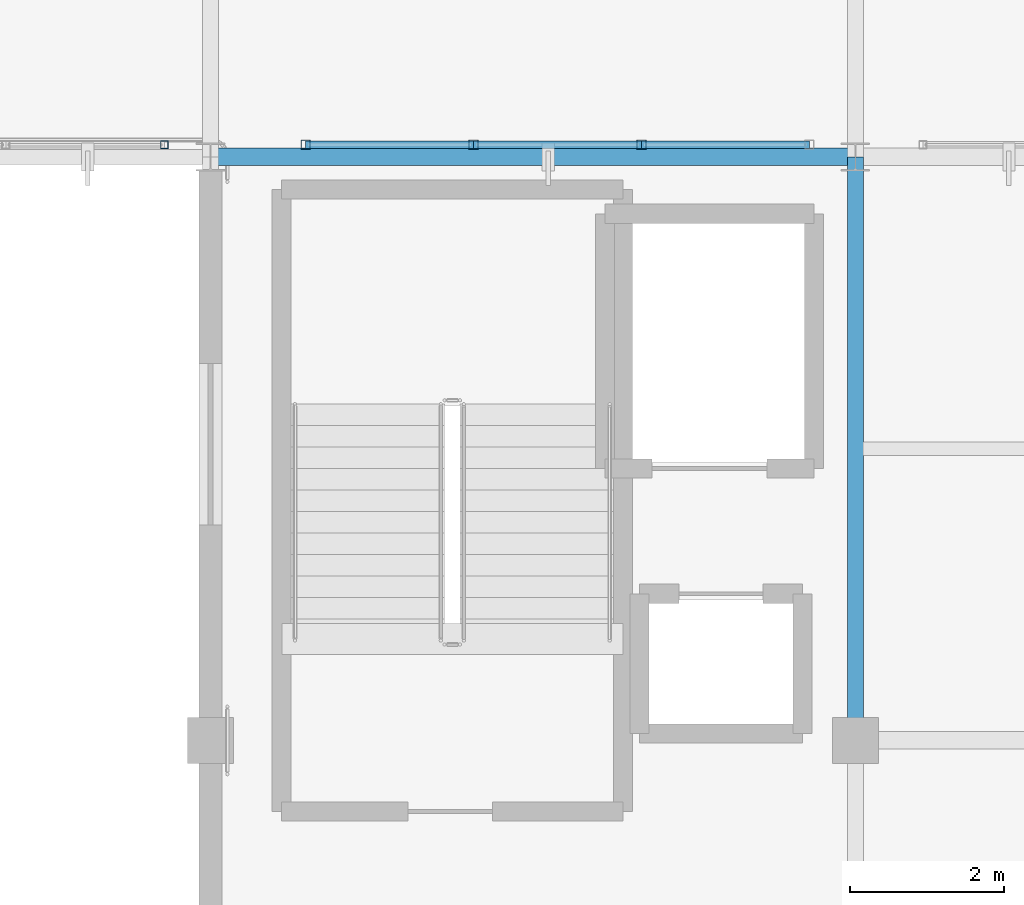
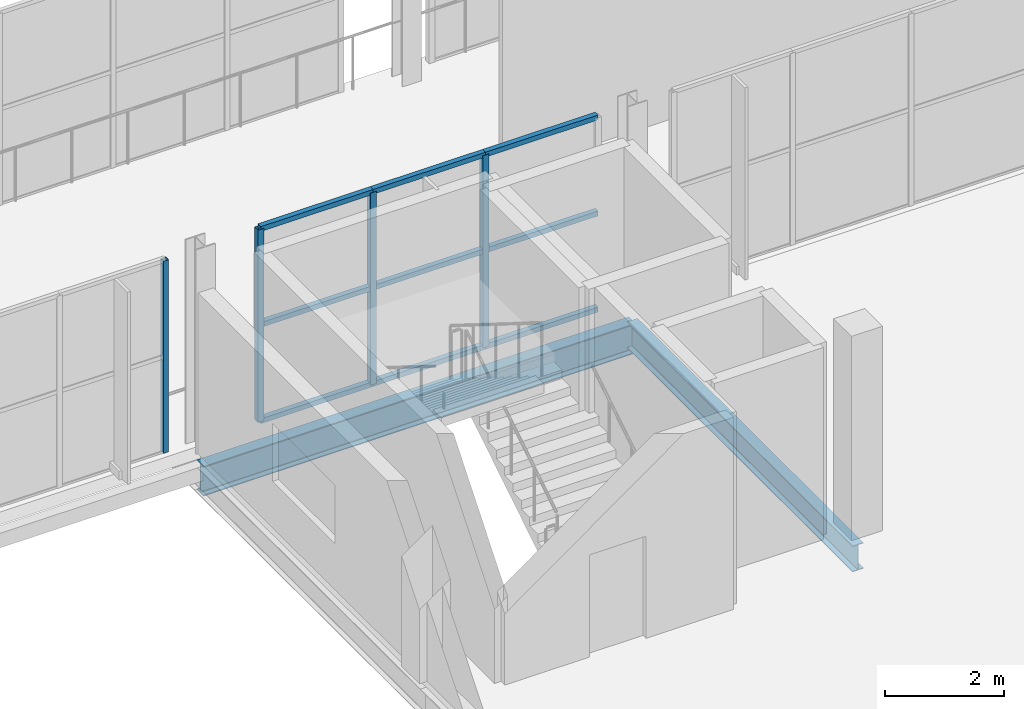
# One storey, part 28 of 217: 13 members, 2 beams, 2 elements without a shape of their own.
"""IFC4 building model written with IfcOpenShell, lengths in metres."""

from ifc_helpers import new_model, si_unit, direction, frame, origin, origin_2d, place, context, subcontext, project, spatial, hollow_rectangle, i_section, extrude, material, material_profile, profile_set, type_object, element, aggregate, save


model = new_model("IFC4")

# Units and contexts
model_context = context("Model", 3, precision=1e-05, world=origin(), true_north=direction((0.0, 1.0)))
body_context = subcontext(model_context, "Body", "Model", "MODEL_VIEW")
ifc_project = project(units=[si_unit("LENGTHUNIT", "METRE"), si_unit("AREAUNIT", "SQUARE_METRE"), si_unit("VOLUMEUNIT", "CUBIC_METRE"), si_unit("PLANEANGLEUNIT", "RADIAN"), si_unit("MASSUNIT", "GRAM", prefix="KILO")], contexts=[model_context])

# Site, building, storey
site_placement = place(None, origin())
site = spatial("IfcSite", under=ifc_project, at=site_placement, CompositionType="ELEMENT")
building_placement = place(site_placement, origin())
building = spatial("IfcBuilding", under=site, at=building_placement, Name="Zuvorla Pavilion Media Centre", CompositionType="ELEMENT")
storey_placement = place(building_placement, frame((0.0, 0.0, 9.60009765625)))
storey = spatial("IfcBuildingStorey", under=building, at=storey_placement, Name="L02", CompositionType="ELEMENT", Elevation=9.60009765625)

# Beams
ifc_material_1 = material(Name="Steel S355", Category="steel")
ifc_material_profile_1 = material_profile(ifc_material_1, i_section(OverallWidth=0.2099609375, OverallDepth=0.53662109375, WebThickness=0.0107421875, FlangeThickness=0.017333984375, FilletRadius=0.0126953125, at=origin_2d()), Name="UB 533x210x101")
ifc_profile_set_1 = profile_set([ifc_material_profile_1], Name="Steel S355")
beam_type_1 = type_object("IfcBeamType", Name="BM-UB533", PredefinedType="BEAM", material=ifc_profile_set_1)
beam_1_placement = place(storey_placement, frame((50.0, 36.39990234375, -0.62646484375), z_axis=(0.0, 1.0, 0.0), x_axis=(-1.0, 0.0, 0.0)))
element("IfcBeam", 1, at=beam_1_placement, inside=storey, type_object=beam_type_1, Name="L02 beam B08 913", PredefinedType="BEAM", context=body_context, shape_type="SweptSolid", body=[
    extrude(i_section(OverallWidth=0.2099609375, OverallDepth=0.53662109375, WebThickness=0.0107421875, FlangeThickness=0.017333984375, FilletRadius=0.0126953125, at=origin_2d()), origin(), (0.0, 0.0, 1.0), 7.60009765625),
])
ifc_material_profile_2 = material_profile(ifc_material_1, i_section(OverallWidth=0.22900390625, OverallDepth=0.6123046875, WebThickness=0.011962890625, FlangeThickness=0.01953125, FilletRadius=0.0126953125, at=origin_2d()), Name="UB 610x229x125")
ifc_profile_set_2 = profile_set([ifc_material_profile_2], Name="Steel S355")
beam_type_2 = type_object("IfcBeamType", Name="BM-UB610", PredefinedType="BEAM", material=ifc_profile_set_2)
beam_2_placement = place(storey_placement, frame((41.60009765625, 44.0, -0.664306640625), z_axis=(1.0, 0.0, 0.0), x_axis=(0.0, 1.0, 0.0)))
element("IfcBeam", 2, at=beam_2_placement, inside=storey, type_object=beam_type_2, Name="L02 beam B07 821", PredefinedType="BEAM", context=body_context, shape_type="SweptSolid", body=[
    extrude(i_section(OverallWidth=0.22900390625, OverallDepth=0.6123046875, WebThickness=0.011962890625, FlangeThickness=0.01953125, FilletRadius=0.0126953125, at=origin_2d()), origin(), (0.0, 0.0, 1.0), 8.39990234375),
])

# Curtain wall, member
ifc_material_2 = material(Name="Unitised anodised aluminium and solar glass curtain wall", Category="aluminium")
curtain_wall_type_1 = type_object("IfcCurtainWallType", Name="CW-SYS-20", PredefinedType="USERDEFINED", material=ifc_material_2)
curtain_wall_1_placement = place(storey_placement, origin())
curtain_wall_1 = element("IfcCurtainWall", 3, at=curtain_wall_1_placement, inside=storey, type_object=curtain_wall_type_1, Name="L02 curtain wall CW20 39", ObjectType="CURTAIN WALL", PredefinedType="USERDEFINED")
ifc_material_3 = material(Name="Anodised aluminium 6063-T6", Category="aluminium")
ifc_material_profile_3 = material_profile(ifc_material_3, hollow_rectangle(XDim=0.10009765625, YDim=0.10009765625, WallThickness=0.00439453125, at=origin_2d()), Name="ALU MULL 100x100")
ifc_profile_set_3 = profile_set([ifc_material_profile_3], Name="Anodised aluminium 6063-T6")
member_type_1 = type_object("IfcMemberType", Name="CW-MULL-100", PredefinedType="MULLION", material=ifc_profile_set_3)
member_1_placement = place(storey_placement, frame((40.999755859375, 44.159912109375, 0.0), z_axis=(0.0, 0.0, 1.0), x_axis=(1.0, 0.0, 0.0)))
member_1 = element("IfcMember", 4, at=member_1_placement, type_object=member_type_1, Name="CW20 mullion 4", PredefinedType="MULLION", context=body_context, shape_type="SweptSolid", body=[
    extrude(hollow_rectangle(XDim=0.10009765625, YDim=0.10009765625, WallThickness=0.00439453125, at=origin_2d()), origin(), (0.0, 0.0, 1.0), 3.949951171875),
])
aggregate(curtain_wall_1, [member_1])

# Curtain wall, members
curtain_wall_type_2 = type_object("IfcCurtainWallType", Name="CW-SYS-21", PredefinedType="USERDEFINED", material=ifc_material_2)
curtain_wall_2_placement = place(storey_placement, origin())
curtain_wall_2 = element("IfcCurtainWall", 5, at=curtain_wall_2_placement, inside=storey, type_object=curtain_wall_type_2, Name="L02 curtain wall CW21 40", ObjectType="CURTAIN WALL", PredefinedType="USERDEFINED")
ifc_material_profile_4 = material_profile(ifc_material_3, hollow_rectangle(XDim=0.1201171875, YDim=0.1201171875, WallThickness=0.0048828125, at=origin_2d()), Name="ALU MULL 120x120")
ifc_profile_set_4 = profile_set([ifc_material_profile_4], Name="Anodised aluminium 6063-T6")
member_type_2 = type_object("IfcMemberType", Name="CW-MULL-120", PredefinedType="MULLION", material=ifc_profile_set_4)
member_2_placement = place(storey_placement, frame((42.840087890625, 44.159912109375, 0.0), z_axis=(0.0, 0.0, 1.0), x_axis=(1.0, 0.0, 0.0)))
member_2 = element("IfcMember", 6, at=member_2_placement, type_object=member_type_2, Name="CW21 mullion 1", PredefinedType="MULLION", context=body_context, shape_type="SweptSolid", body=[
    extrude(hollow_rectangle(XDim=0.1201171875, YDim=0.1201171875, WallThickness=0.0048828125, at=origin_2d()), origin(), (0.0, 0.0, 1.0), 3.949951171875),
])
member_3_placement = place(storey_placement, frame((45.026611328125, 44.159912109375, 0.0), z_axis=(0.0, 0.0, 1.0), x_axis=(1.0, 0.0, 0.0)))
member_3 = element("IfcMember", 7, at=member_3_placement, type_object=member_type_2, Name="CW21 mullion 2", PredefinedType="MULLION", context=body_context, shape_type="SweptSolid", body=[
    extrude(hollow_rectangle(XDim=0.1201171875, YDim=0.1201171875, WallThickness=0.0048828125, at=origin_2d()), origin(), (0.0, 0.0, 1.0), 3.949951171875),
])
member_4_placement = place(storey_placement, frame((47.213134765625, 44.159912109375, 0.0), z_axis=(0.0, 0.0, 1.0), x_axis=(1.0, 0.0, 0.0)))
member_4 = element("IfcMember", 8, at=member_4_placement, type_object=member_type_2, Name="CW21 mullion 3", PredefinedType="MULLION", context=body_context, shape_type="SweptSolid", body=[
    extrude(hollow_rectangle(XDim=0.1201171875, YDim=0.1201171875, WallThickness=0.0048828125, at=origin_2d()), origin(), (0.0, 0.0, 1.0), 3.949951171875),
])
ifc_material_profile_5 = material_profile(ifc_material_3, hollow_rectangle(XDim=0.10009765625, YDim=0.10009765625, WallThickness=0.00439453125, at=origin_2d()), Name="ALU TRAN 100x100")
ifc_profile_set_5 = profile_set([ifc_material_profile_5], Name="Anodised aluminium 6063-T6")
member_type_3 = type_object("IfcMemberType", Name="CW-TRAN-100", PredefinedType="USERDEFINED", material=ifc_profile_set_5)
member_5_placement = place(storey_placement, frame((42.840087890625, 44.159912109375, 0.0), z_axis=(1.0, 0.0, 0.0), x_axis=(0.0, 1.0, 0.0)))
member_5 = element("IfcMember", 9, at=member_5_placement, type_object=member_type_3, Name="CW21 transom 1.1", ObjectType="TRANSOM", PredefinedType="USERDEFINED", context=body_context, shape_type="SweptSolid", body=[
    extrude(hollow_rectangle(XDim=0.10009765625, YDim=0.10009765625, WallThickness=0.00439453125, at=origin_2d()), origin(), (0.0, 0.0, 1.0), 2.1865234375),
])
member_6_placement = place(storey_placement, frame((42.840087890625, 44.159912109375, 1.974853515625), z_axis=(1.0, 0.0, 0.0), x_axis=(0.0, 1.0, 0.0)))
member_6 = element("IfcMember", 10, at=member_6_placement, type_object=member_type_3, Name="CW21 transom 1.2", ObjectType="TRANSOM", PredefinedType="USERDEFINED", context=body_context, shape_type="SweptSolid", body=[
    extrude(hollow_rectangle(XDim=0.10009765625, YDim=0.10009765625, WallThickness=0.00439453125, at=origin_2d()), origin(), (0.0, 0.0, 1.0), 2.1865234375),
])
member_7_placement = place(storey_placement, frame((42.840087890625, 44.159912109375, 3.949951171875), z_axis=(1.0, 0.0, 0.0), x_axis=(0.0, 1.0, 0.0)))
member_7 = element("IfcMember", 11, at=member_7_placement, type_object=member_type_3, Name="CW21 transom 1.3", ObjectType="TRANSOM", PredefinedType="USERDEFINED", context=body_context, shape_type="SweptSolid", body=[
    extrude(hollow_rectangle(XDim=0.10009765625, YDim=0.10009765625, WallThickness=0.00439453125, at=origin_2d()), origin(), (0.0, 0.0, 1.0), 2.1865234375),
])
member_8_placement = place(storey_placement, frame((45.026611328125, 44.159912109375, 0.0), z_axis=(1.0, 0.0, 0.0), x_axis=(0.0, 1.0, 0.0)))
member_8 = element("IfcMember", 12, at=member_8_placement, type_object=member_type_3, Name="CW21 transom 2.1", ObjectType="TRANSOM", PredefinedType="USERDEFINED", context=body_context, shape_type="SweptSolid", body=[
    extrude(hollow_rectangle(XDim=0.10009765625, YDim=0.10009765625, WallThickness=0.00439453125, at=origin_2d()), origin(), (0.0, 0.0, 1.0), 2.1865234375),
])
member_9_placement = place(storey_placement, frame((45.026611328125, 44.159912109375, 1.974853515625), z_axis=(1.0, 0.0, 0.0), x_axis=(0.0, 1.0, 0.0)))
member_9 = element("IfcMember", 13, at=member_9_placement, type_object=member_type_3, Name="CW21 transom 2.2", ObjectType="TRANSOM", PredefinedType="USERDEFINED", context=body_context, shape_type="SweptSolid", body=[
    extrude(hollow_rectangle(XDim=0.10009765625, YDim=0.10009765625, WallThickness=0.00439453125, at=origin_2d()), origin(), (0.0, 0.0, 1.0), 2.1865234375),
])
member_10_placement = place(storey_placement, frame((45.026611328125, 44.159912109375, 3.949951171875), z_axis=(1.0, 0.0, 0.0), x_axis=(0.0, 1.0, 0.0)))
member_10 = element("IfcMember", 14, at=member_10_placement, type_object=member_type_3, Name="CW21 transom 2.3", ObjectType="TRANSOM", PredefinedType="USERDEFINED", context=body_context, shape_type="SweptSolid", body=[
    extrude(hollow_rectangle(XDim=0.10009765625, YDim=0.10009765625, WallThickness=0.00439453125, at=origin_2d()), origin(), (0.0, 0.0, 1.0), 2.1865234375),
])
member_11_placement = place(storey_placement, frame((47.213134765625, 44.159912109375, 0.0), z_axis=(1.0, 0.0, 0.0), x_axis=(0.0, 1.0, 0.0)))
member_11 = element("IfcMember", 15, at=member_11_placement, type_object=member_type_3, Name="CW21 transom 3.1", ObjectType="TRANSOM", PredefinedType="USERDEFINED", context=body_context, shape_type="SweptSolid", body=[
    extrude(hollow_rectangle(XDim=0.10009765625, YDim=0.10009765625, WallThickness=0.00439453125, at=origin_2d()), origin(), (0.0, 0.0, 1.0), 2.186767578125),
])
member_12_placement = place(storey_placement, frame((47.213134765625, 44.159912109375, 1.974853515625), z_axis=(1.0, 0.0, 0.0), x_axis=(0.0, 1.0, 0.0)))
member_12 = element("IfcMember", 16, at=member_12_placement, type_object=member_type_3, Name="CW21 transom 3.2", ObjectType="TRANSOM", PredefinedType="USERDEFINED", context=body_context, shape_type="SweptSolid", body=[
    extrude(hollow_rectangle(XDim=0.10009765625, YDim=0.10009765625, WallThickness=0.00439453125, at=origin_2d()), origin(), (0.0, 0.0, 1.0), 2.186767578125),
])
member_13_placement = place(storey_placement, frame((47.213134765625, 44.159912109375, 3.949951171875), z_axis=(1.0, 0.0, 0.0), x_axis=(0.0, 1.0, 0.0)))
member_13 = element("IfcMember", 17, at=member_13_placement, type_object=member_type_3, Name="CW21 transom 3.3", ObjectType="TRANSOM", PredefinedType="USERDEFINED", context=body_context, shape_type="SweptSolid", body=[
    extrude(hollow_rectangle(XDim=0.10009765625, YDim=0.10009765625, WallThickness=0.00439453125, at=origin_2d()), origin(), (0.0, 0.0, 1.0), 2.186767578125),
])
aggregate(curtain_wall_2, [member_2, member_3, member_4, member_5, member_6, member_7, member_8, member_9, member_10, member_11, member_12, member_13])

save(model, "model.ifc")
